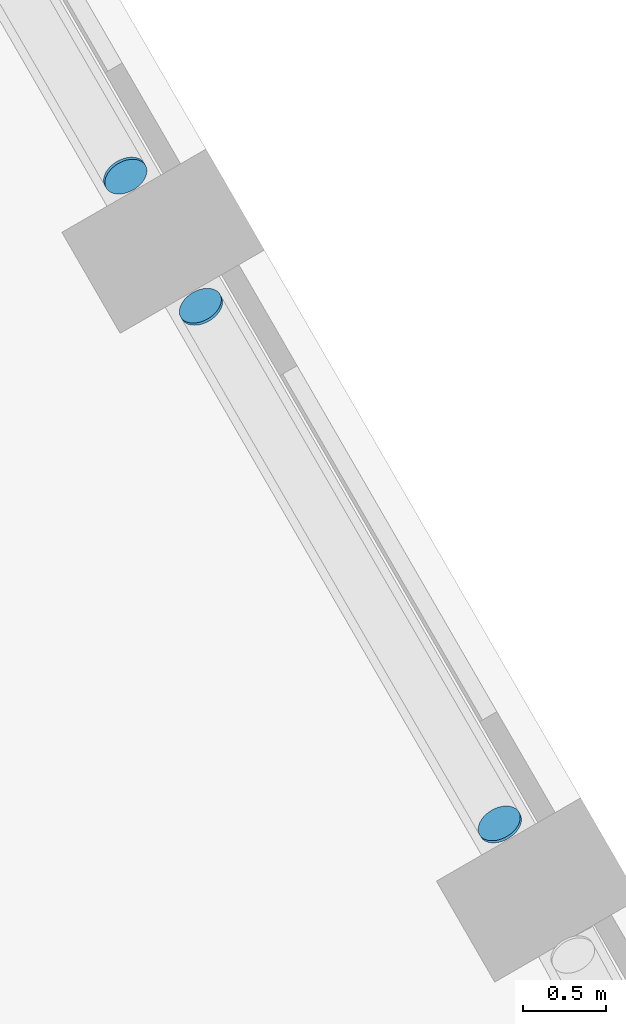
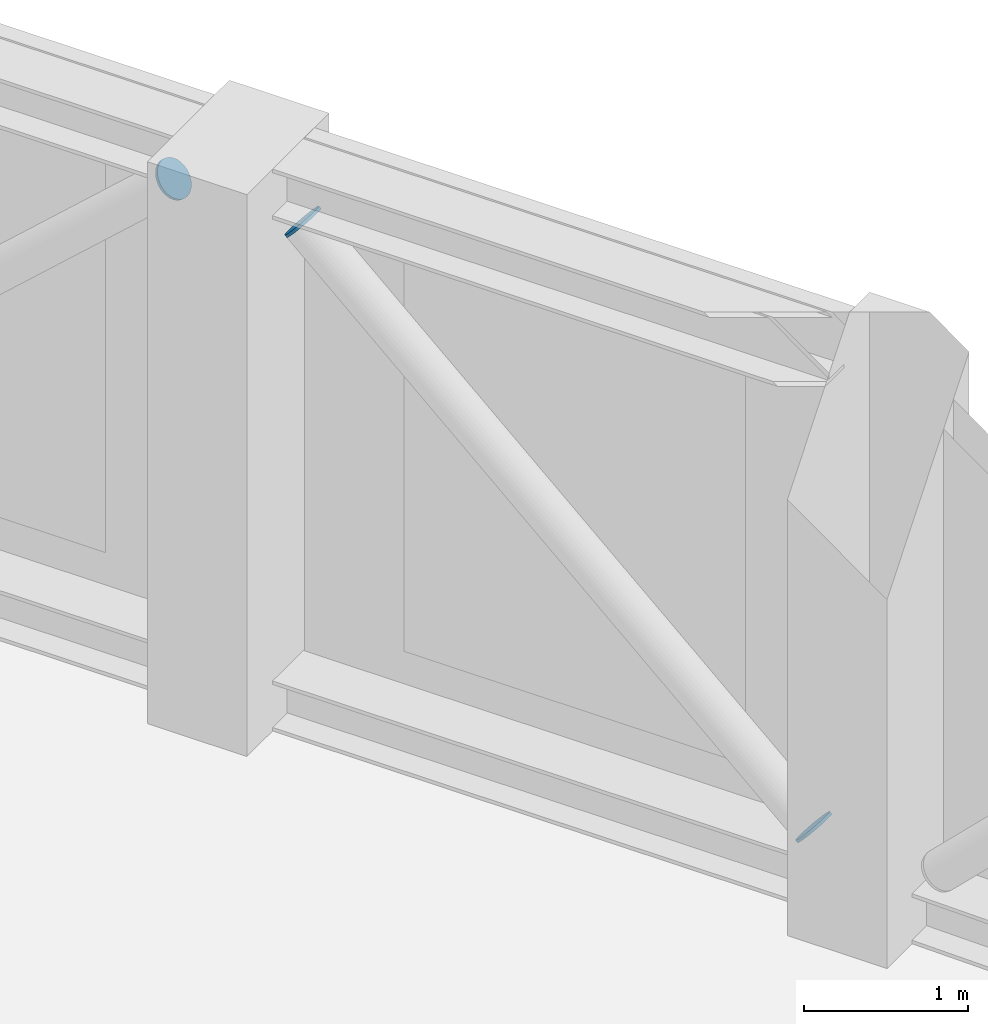
# One storey, part 11 of 14: 3 discrete accessories.
"""IFC4 building model written with IfcOpenShell, lengths in metres."""

from ifc_helpers import new_model, si_unit, direction, frame, origin, origin_2d, place, context, subcontext, project, spatial, circle, extrude, material, material_profile, profile_set, type_object, element, save


model = new_model("IFC4")

# Units and contexts
model_context = context("Model", 3, precision=1e-05, world=origin(), true_north=direction((0.0, 1.0)))
body_context = subcontext(model_context, "Body", "Model", "MODEL_VIEW")
ifc_project = project(units=[si_unit("LENGTHUNIT", "METRE"), si_unit("AREAUNIT", "SQUARE_METRE"), si_unit("VOLUMEUNIT", "CUBIC_METRE"), si_unit("PLANEANGLEUNIT", "RADIAN"), si_unit("MASSUNIT", "GRAM", prefix="KILO")], contexts=[model_context])

# Site, building, storey
site_placement = place(None, origin())
site = spatial("IfcSite", under=ifc_project, at=site_placement, CompositionType="ELEMENT")
building_placement = place(site_placement, origin())
building = spatial("IfcBuilding", under=site, at=building_placement, Name="Dhurran Vertical Campus", CompositionType="ELEMENT")
storey_placement = place(building_placement, frame((0.0, 0.0, 282.0)))
storey = spatial("IfcBuildingStorey", under=building, at=storey_placement, Name="L70 Plant", CompositionType="ELEMENT", Elevation=282.0)

# Discrete accessories
ifc_material = material(Name="Steel S355J2", Category="steel")
ifc_material_profile = material_profile(ifc_material, circle(Radius=0.136474609375, at=origin_2d()), Name="Tube end cap 273 x 20")
ifc_profile_set = profile_set([ifc_material_profile], Name="Steel S355J2")
discrete_accessory_type = type_object("IfcDiscreteAccessoryType", Name="Tube end cap 273 x 20", PredefinedType="USERDEFINED", material=ifc_profile_set)
for number, where, z_axis, x_axis, name in (
    (1, (25.73291015625, 6.29736328125, 0.473388671875), (0.376068504711, -0.642955830635, -0.66721831481), (0.863187603129, 0.504883315038, 0.0), "EC1 belt L70 d14 capA"),
    (2, (23.9453125, 9.393798828125, 3.70166015625), (-0.376068504711, 0.642955830635, 0.66721831481), (-0.863187603129, -0.504883315038, 0.0), "EC1 belt L70 d14 capB"),
    (3, (23.48291015625, 10.194580078125, 3.70166015625), (0.376068504711, -0.642955830635, 0.66721831481), (0.863187603129, 0.504883315038, 0.0), "EC1 belt L70 d15 capB"),
):
    element("IfcDiscreteAccessory", number, at=place(storey_placement, frame(where, z_axis=z_axis, x_axis=x_axis)), inside=storey, type_object=discrete_accessory_type, Name=name, ObjectType="END CAP", PredefinedType="USERDEFINED", context=body_context, shape_type="SweptSolid", body=[
        extrude(circle(Radius=0.136474609375, at=origin_2d()), origin(), (0.0, 0.0, 1.0), 0.02001953125),
    ])

save(model, "model.ifc")
